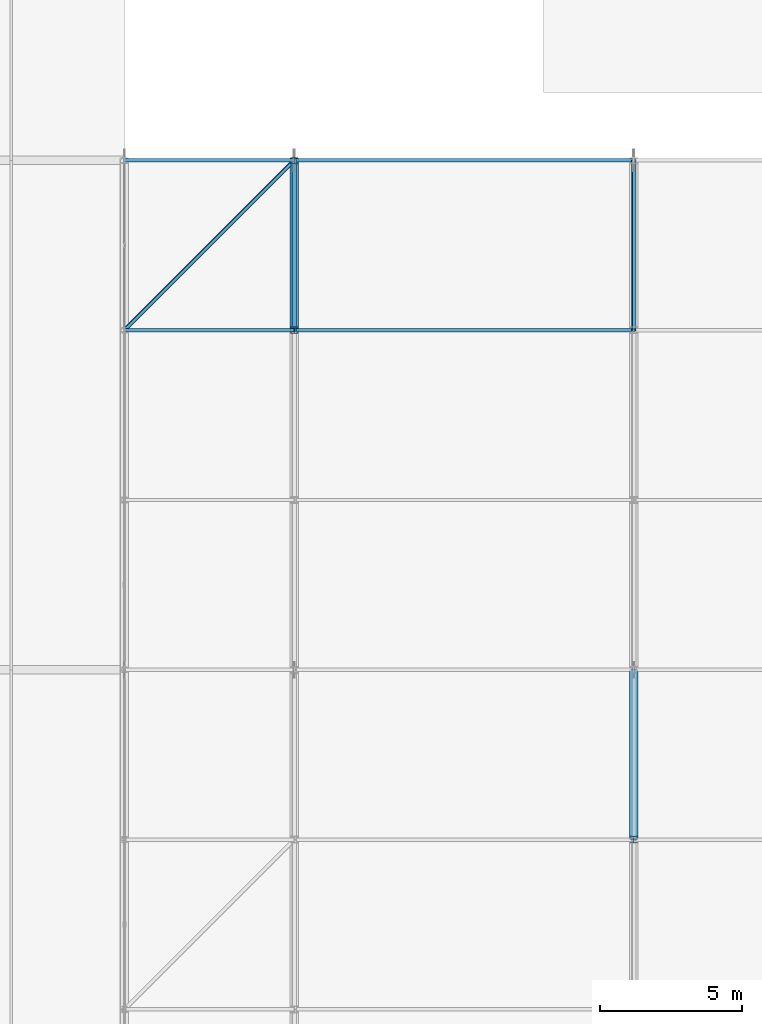
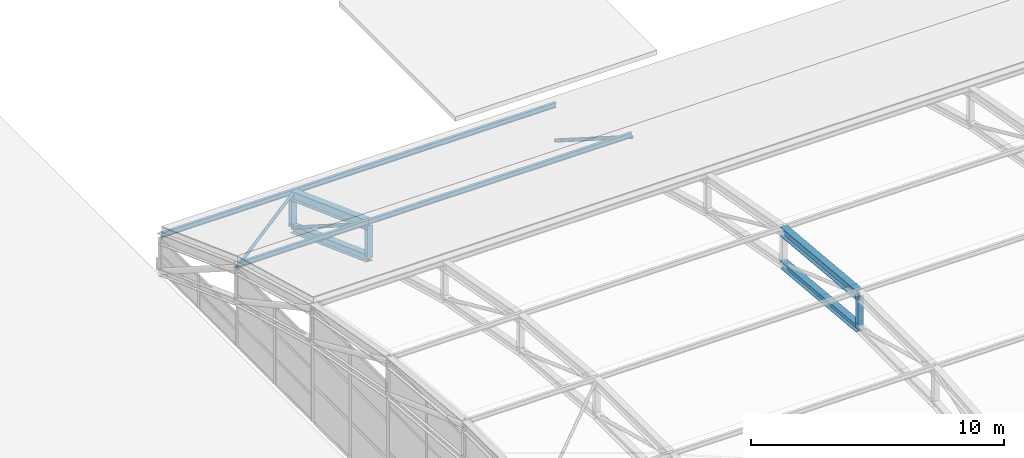
# One storey, part 42 of 204: 14 members.
"""IFC4 building model written with IfcOpenShell, lengths in metres."""

from ifc_helpers import new_model, si_unit, direction, frame, origin, origin_2d, place, context, subcontext, project, spatial, hollow_circle, i_section, extrude, material, material_profile, profile_set, type_object, element, save


model = new_model("IFC4")

# Units and contexts
model_context = context("Model", 3, precision=1e-05, world=origin(), true_north=direction((0.0, 1.0)))
body_context = subcontext(model_context, "Body", "Model", "MODEL_VIEW")
ifc_project = project(units=[si_unit("LENGTHUNIT", "METRE"), si_unit("AREAUNIT", "SQUARE_METRE"), si_unit("VOLUMEUNIT", "CUBIC_METRE"), si_unit("PLANEANGLEUNIT", "RADIAN"), si_unit("MASSUNIT", "GRAM", prefix="KILO")], contexts=[model_context])

# Site, building, storey
site_placement = place(None, origin())
site = spatial("IfcSite", under=ifc_project, at=site_placement, CompositionType="ELEMENT")
building_placement = place(site_placement, origin())
building = spatial("IfcBuilding", under=site, at=building_placement, Name="Zilviju Railside Exhibition Hall", CompositionType="ELEMENT")
storey_placement = place(building_placement, frame((0.0, 0.0, 21.0)))
storey = spatial("IfcBuildingStorey", under=building, at=storey_placement, Name="RF", CompositionType="ELEMENT", Elevation=21.0)

# Members
ifc_material = material(Name="Steel S355J2", Category="steel")
ifc_material_profile_1 = material_profile(ifc_material, hollow_circle(Radius=0.06982421875, WallThickness=0.00634765625, at=origin_2d()), Name="CHS 139.7x6.3")
ifc_profile_set_1 = profile_set([ifc_material_profile_1], Name="Steel S355J2")
member_type_1 = type_object("IfcMemberType", Name="TR-BR-CHS139", PredefinedType="BRACE", material=ifc_profile_set_1)
member_1_placement = place(storey_placement, frame((78.0, 48.0, -3.964599609375), z_axis=(0.684952207601, 0.684952207601, -0.248356490964), x_axis=(-0.707106781187, 0.707106781187, 0.0)))
element("IfcMember", 1, at=member_1_placement, inside=storey, type_object=member_type_1, Name="V1 Roof Wind Brace (78.0..84.0)", PredefinedType="BRACE", context=body_context, shape_type="SweptSolid", body=[
    extrude(hollow_circle(Radius=0.06982421875, WallThickness=0.00634765625, at=origin_2d()), origin(), (0.0, 0.0, 1.0), 8.759765625),
])
ifc_material_profile_2 = material_profile(ifc_material, hollow_circle(Radius=0.084228515625, WallThickness=0.008056640625, at=origin_2d()), Name="CHS 168.3x8.0")
ifc_profile_set_2 = profile_set([ifc_material_profile_2], Name="Steel S355J2")
member_type_2 = type_object("IfcMemberType", Name="TR-BR-CHS168", PredefinedType="BRACE", material=ifc_profile_set_2)
for number, where, z_axis, x_axis, name in (
    (2, (84.0, 48.0, -3.987548828125), (0.0, 0.844023315733, -0.536306481872), (-1.0, 0.0, 0.0), "V1 Parabolic Arch Web Diagonal X=84.0 P9"),
    (3, (96.0, 48.0, -3.987548828125), (0.0, 0.844023315733, -0.536306481872), (-1.0, 0.0, 0.0), "V1 Parabolic Arch Web Diagonal X=96.0 P9"),
):
    element("IfcMember", number, at=place(storey_placement, frame(where, z_axis=z_axis, x_axis=x_axis)), inside=storey, type_object=member_type_2, Name=name, PredefinedType="BRACE", context=body_context, shape_type="SweptSolid", body=[
        extrude(hollow_circle(Radius=0.084228515625, WallThickness=0.008056640625, at=origin_2d()), origin(), (0.0, 0.0, 1.0), 7.10888671875),
    ])
ifc_material_profile_3 = material_profile(ifc_material, i_section(OverallWidth=0.300048828125, OverallDepth=0.360107421875, WebThickness=0.012451171875, FlangeThickness=0.0224609375, at=origin_2d()), Name="HEB 360")
ifc_profile_set_3 = profile_set([ifc_material_profile_3], Name="Steel S355J2")
member_type_3 = type_object("IfcMemberType", Name="TR-CH-HEB360", PredefinedType="CHORD", material=ifc_profile_set_3)
member_2_placement = place(storey_placement, frame((84.0, 48.0, -5.587646484375), z_axis=(0.0, 0.938247917098, -0.345963648468), x_axis=(-1.0, 0.0, 0.0)))
element("IfcMember", 4, at=member_2_placement, inside=storey, type_object=member_type_3, Name="V1 Parabolic Arch Bottom Chord X=84.0 P9", PredefinedType="CHORD", context=body_context, shape_type="SweptSolid", body=[
    extrude(i_section(OverallWidth=0.300048828125, OverallDepth=0.360107421875, WebThickness=0.012451171875, FlangeThickness=0.0224609375, at=origin_2d()), origin(), (0.0, 0.0, 1.0), 6.39501953125),
])
member_3_placement = place(storey_placement, frame((96.0, 30.0, -2.26904296875), z_axis=(0.0, 0.995776144786, -0.091814320641), x_axis=(-1.0, 0.0, 0.0)))
element("IfcMember", 5, at=member_3_placement, inside=storey, type_object=member_type_3, Name="V1 Parabolic Arch Bottom Chord X=96.0 P6", PredefinedType="CHORD", context=body_context, shape_type="SweptSolid", body=[
    extrude(i_section(OverallWidth=0.300048828125, OverallDepth=0.360107421875, WebThickness=0.012451171875, FlangeThickness=0.0224609375, at=origin_2d()), origin(), (0.0, 0.0, 1.0), 6.025390625),
])
ifc_material_profile_4 = material_profile(ifc_material, i_section(OverallWidth=0.300048828125, OverallDepth=0.449951171875, WebThickness=0.013916015625, FlangeThickness=0.02587890625, at=origin_2d()), Name="HEB 450")
ifc_profile_set_4 = profile_set([ifc_material_profile_4], Name="Steel S355J2")
member_type_4 = type_object("IfcMemberType", Name="TR-CH-HEB450", PredefinedType="CHORD", material=ifc_profile_set_4)
member_4_placement = place(storey_placement, frame((84.0, 48.0, -3.987548828125), z_axis=(0.0, 0.938247917098, -0.345963648468), x_axis=(-1.0, 0.0, 0.0)))
element("IfcMember", 6, at=member_4_placement, inside=storey, type_object=member_type_4, Name="V1 Parabolic Arch Top Chord X=84.0 P9", PredefinedType="CHORD", context=body_context, shape_type="SweptSolid", body=[
    extrude(i_section(OverallWidth=0.300048828125, OverallDepth=0.449951171875, WebThickness=0.013916015625, FlangeThickness=0.02587890625, at=origin_2d()), origin(), (0.0, 0.0, 1.0), 6.39501953125),
])
member_5_placement = place(storey_placement, frame((96.0, 30.0, -0.669189453125), z_axis=(0.0, 0.99577984843, -0.091774143746), x_axis=(-1.0, 0.0, 0.0)))
element("IfcMember", 7, at=member_5_placement, inside=storey, type_object=member_type_4, Name="V1 Parabolic Arch Top Chord X=96.0 P6", PredefinedType="CHORD", context=body_context, shape_type="SweptSolid", body=[
    extrude(i_section(OverallWidth=0.300048828125, OverallDepth=0.449951171875, WebThickness=0.013916015625, FlangeThickness=0.02587890625, at=origin_2d()), origin(), (0.0, 0.0, 1.0), 6.025390625),
])
ifc_material_profile_5 = material_profile(ifc_material, i_section(OverallWidth=0.239990234375, OverallDepth=0.22998046875, WebThickness=0.007568359375, FlangeThickness=0.011962890625, at=origin_2d()), Name="HEA 240")
ifc_profile_set_5 = profile_set([ifc_material_profile_5], Name="Steel S355J2")
member_type_5 = type_object("IfcMemberType", Name="TR-POST-HEA240", PredefinedType="POST", material=ifc_profile_set_5)
for number, where, z_axis, x_axis, name in (
    (8, (84.0, 48.0, -5.587646484375), (0.0, 0.0, 1.0), (1.0, 0.0, 0.0), "V1 Parabolic Arch Web Post X=84.0 N8"),
    (9, (84.0, 54.0, -7.800048828125), (0.0, 0.0, 1.0), (1.0, 0.0, 0.0), "V1 Parabolic Arch Web Post X=84.0 N9"),
):
    element("IfcMember", number, at=place(storey_placement, frame(where, z_axis=z_axis, x_axis=x_axis)), inside=storey, type_object=member_type_5, Name=name, PredefinedType="POST", context=body_context, shape_type="SweptSolid", body=[
        extrude(i_section(OverallWidth=0.239990234375, OverallDepth=0.22998046875, WebThickness=0.007568359375, FlangeThickness=0.011962890625, at=origin_2d()), origin(), (0.0, 0.0, 1.0), 1.60009765625),
    ])
member_6_placement = place(storey_placement, frame((96.0, 30.0, -2.26904296875), z_axis=(0.0, 0.0, 1.0), x_axis=(1.0, 0.0, 0.0)))
element("IfcMember", 10, at=member_6_placement, inside=storey, type_object=member_type_5, Name="V1 Parabolic Arch Web Post X=96.0 N5", PredefinedType="POST", context=body_context, shape_type="SweptSolid", body=[
    extrude(i_section(OverallWidth=0.239990234375, OverallDepth=0.22998046875, WebThickness=0.007568359375, FlangeThickness=0.011962890625, at=origin_2d()), origin(), (0.0, 0.0, 1.0), 1.599853515625),
])
ifc_material_profile_6 = material_profile(ifc_material, i_section(OverallWidth=0.1201171875, OverallDepth=0.239990234375, WebThickness=0.006103515625, FlangeThickness=0.009765625, at=origin_2d()), Name="IPE 240")
ifc_profile_set_6 = profile_set([ifc_material_profile_6], Name="Steel S355J2")
member_type_6 = type_object("IfcMemberType", Name="TR-PUR-IPE240", PredefinedType="PURLIN", material=ifc_profile_set_6)
for number, where, z_axis, x_axis, name in (
    (11, (78.0, 48.0, -3.864990234375), (1.0, 0.0, 0.0), (0.0, 1.0, 0.0), "V1 Barrel Vault Roof Purlin Y=48.0 (78.0..84.0)"),
    (12, (78.0, 54.0, -6.05517578125), (1.0, 0.0, 0.0), (0.0, 1.0, 0.0), "V1 Barrel Vault Roof Purlin Y=54.0 (78.0..84.0)"),
):
    element("IfcMember", number, at=place(storey_placement, frame(where, z_axis=z_axis, x_axis=x_axis)), inside=storey, type_object=member_type_6, Name=name, PredefinedType="PURLIN", context=body_context, shape_type="SweptSolid", body=[
        extrude(i_section(OverallWidth=0.1201171875, OverallDepth=0.239990234375, WebThickness=0.006103515625, FlangeThickness=0.009765625, at=origin_2d()), origin(), (0.0, 0.0, 1.0), 6.0),
    ])
for number, where, z_axis, x_axis, name in (
    (13, (84.0, 48.0, -3.864990234375), (1.0, 0.0, 0.0), (0.0, 1.0, 0.0), "V1 Barrel Vault Roof Purlin Y=48.0 (84.0..96.0)"),
    (14, (84.0, 54.0, -6.05517578125), (1.0, 0.0, 0.0), (0.0, 1.0, 0.0), "V1 Barrel Vault Roof Purlin Y=54.0 (84.0..96.0)"),
):
    element("IfcMember", number, at=place(storey_placement, frame(where, z_axis=z_axis, x_axis=x_axis)), inside=storey, type_object=member_type_6, Name=name, PredefinedType="PURLIN", context=body_context, shape_type="SweptSolid", body=[
        extrude(i_section(OverallWidth=0.1201171875, OverallDepth=0.239990234375, WebThickness=0.006103515625, FlangeThickness=0.009765625, at=origin_2d()), origin(), (0.0, 0.0, 1.0), 12.0),
    ])

save(model, "model.ifc")
